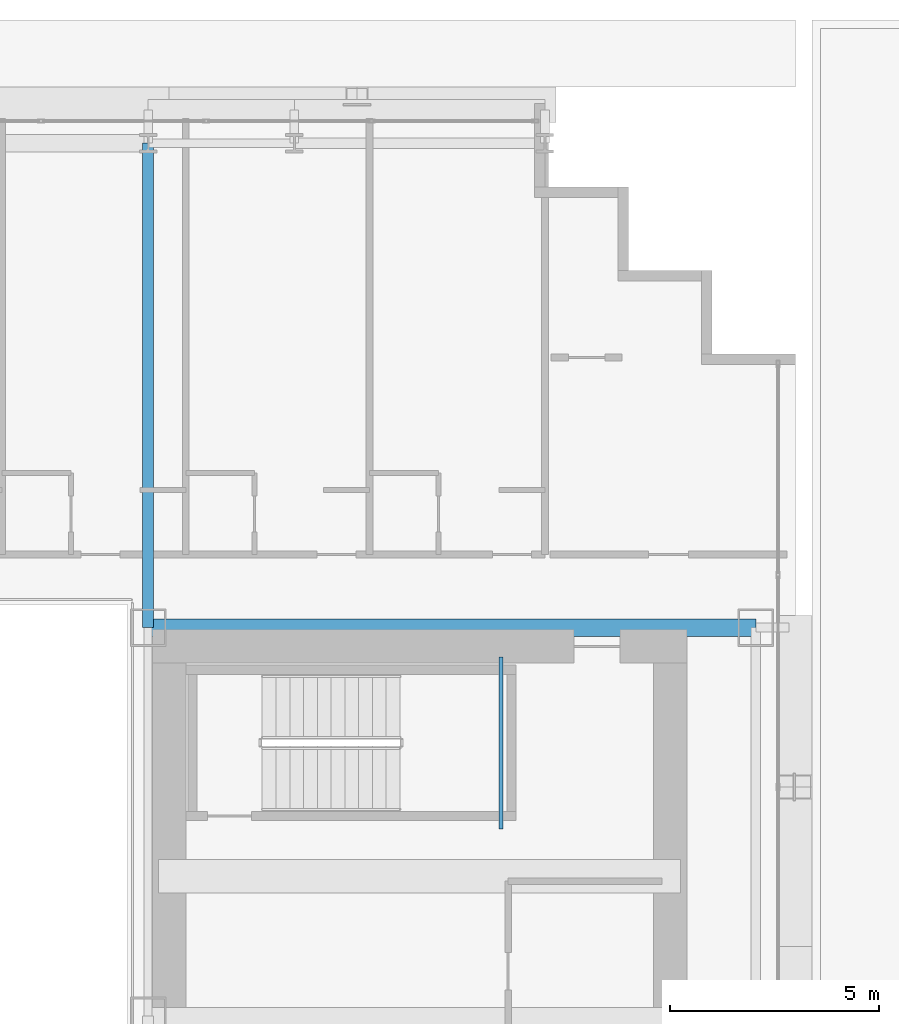
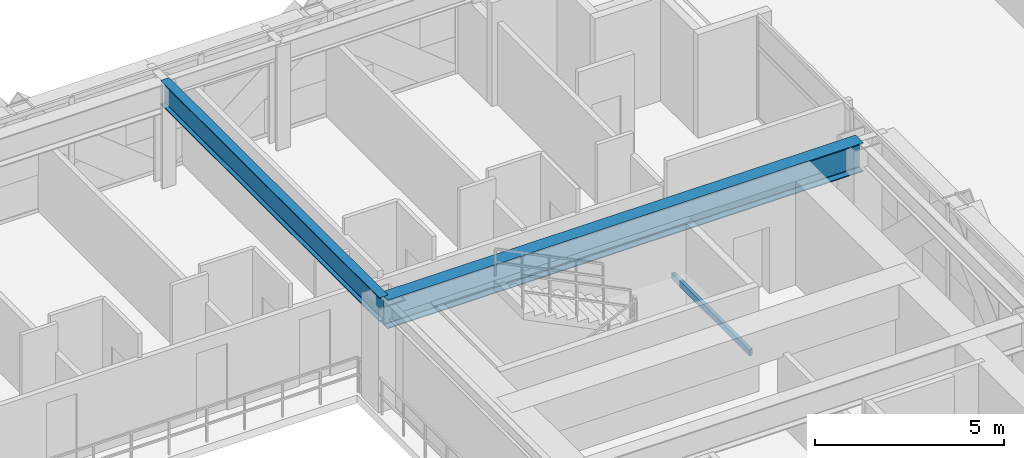
# One storey, part 18 of 35: 3 beams.
"""IFC4 building model written with IfcOpenShell, lengths in metres."""

import ifcopenshell
import ifcopenshell.guid

model = None  # the IFC model being written
_history = None  # IfcOwnerHistory: only IFC2X3 demands one
_inside = {}  # id of a spatial element -> (the spatial element, [elements in it])
_under = {}  # id of a project, library or spatial element -> (it, [spatial elements below it])
_declared = {}  # id of a project -> (the project, [libraries it declares])
_typed = {}  # id of a type object -> (the type object, [elements of that type])
_made_of = {}  # id of a material, layer set ... -> (it, [elements and type objects made of it])


def new_model(schema):
    """Start an empty IFC model of exactly this schema.

    Asked for "IFC4X3", IfcOpenShell would pick the latest addendum, in which some entities
    have other attributes; the version numbers below select the first issue.
    IFC2X3 requires an IfcOwnerHistory on every rooted entity: one is made here for all.
    """
    global model, _history
    if schema == "IFC4X3":
        model = ifcopenshell.file(schema_version=(4, 3, 0, 0))
    else:
        model = ifcopenshell.file(schema=schema)
    _inside.clear()
    _under.clear()
    _declared.clear()
    _typed.clear()
    _made_of.clear()
    _history = None
    if model.schema == "IFC2X3":
        org = make("IfcOrganization", Name="unknown")
        user = make(
            "IfcPersonAndOrganization",
            ThePerson=make("IfcPerson", FamilyName="unknown"),
            TheOrganization=org,
        )
        app = make(
            "IfcApplication",
            ApplicationDeveloper=org,
            Version="unknown",
            ApplicationFullName="unknown",
            ApplicationIdentifier="unknown",
        )
        _history = make(
            "IfcOwnerHistory",
            OwningUser=user,
            OwningApplication=app,
            ChangeAction="ADDED",
            CreationDate=0,
        )
    return model


def make(cls, **values):
    """One entity of the class cls with the attributes given. An attribute that is None is left unset."""
    return model.create_entity(
        cls, **{name: value for name, value in values.items() if value is not None}
    )


def rooted(cls, **values):
    """An entity with a GlobalId (a new one), such as an element, a storey or a relation."""
    return make(cls, GlobalId=ifcopenshell.guid.new(), OwnerHistory=_history, **values)


def si_unit(unit_type, name, prefix=None):
    """IfcSIUnit, for example si_unit("LENGTHUNIT", "METRE", prefix="MILLI")."""
    return make("IfcSIUnit", UnitType=unit_type, Prefix=prefix, Name=name)


def assignment(units):
    """IfcUnitAssignment: the units of a project."""
    return None if units is None else make("IfcUnitAssignment", Units=units)


def point(xyz):
    """IfcCartesianPoint."""
    return None if xyz is None else make("IfcCartesianPoint", Coordinates=xyz)


def direction(xyz):
    """IfcDirection."""
    return None if xyz is None else make("IfcDirection", DirectionRatios=xyz)


def frame(location, z_axis=None, x_axis=None):
    """IfcAxis2Placement3D, a coordinate frame: its origin and axes. An axis left out is left unset."""
    return make(
        "IfcAxis2Placement3D",
        Location=point(location),
        Axis=direction(z_axis),
        RefDirection=direction(x_axis),
    )


def frame_2d(location, x_axis=None):
    """IfcAxis2Placement2D, a coordinate frame in the plane: its origin and x axis."""
    return make(
        "IfcAxis2Placement2D", Location=point(location), RefDirection=direction(x_axis)
    )


def origin():
    """The frame at (0, 0, 0) with its axes left unset."""
    return frame((0.0, 0.0, 0.0))


def origin_2d():
    """The frame at (0, 0) in the plane with its x axis left unset."""
    return frame_2d((0.0, 0.0))


def place(relative_to, where):
    """IfcLocalPlacement: puts the frame where relative to a parent placement (None: the world)."""
    return make(
        "IfcLocalPlacement", PlacementRelTo=relative_to, RelativePlacement=where
    )


def context(
    kind, dimensions, precision=None, world=None, true_north=None, identifier=None
):
    """IfcGeometricRepresentationContext, for example the 3D "Model" context."""
    return make(
        "IfcGeometricRepresentationContext",
        ContextIdentifier=identifier,
        ContextType=kind,
        CoordinateSpaceDimension=dimensions,
        Precision=precision,
        WorldCoordinateSystem=world,
        TrueNorth=true_north,
    )


def subcontext(parent, identifier, kind, view, scale=None):
    """IfcGeometricRepresentationSubContext, for example "Body" below "Model"."""
    return make(
        "IfcGeometricRepresentationSubContext",
        ContextIdentifier=identifier,
        ContextType=kind,
        ParentContext=parent,
        TargetScale=scale,
        TargetView=view,
    )


def project(units=None, contexts=None):
    """IfcProject with its units and contexts."""
    return rooted(
        "IfcProject",
        Name="project",
        RepresentationContexts=contexts,
        UnitsInContext=assignment(units),
    )


def spatial(cls, under=None, at=None, **own):
    """A site, building, storey or space (cls), placed at a placement, below another one or the project."""
    s = rooted(cls, ObjectPlacement=at, **own)
    if under is not None:
        _under.setdefault(under.id(), (under, []))[1].append(s)
    return s


def profile(cls, at=None, kind="AREA", **sizes):
    """A parametric profile (cls). Its sizes go by their IFC names, for example OverallWidth=200.0."""
    return make(cls, ProfileType=kind, Position=at, **sizes)


def hollow_rectangle(**sizes):
    """IfcRectangleHollowProfileDef."""
    return profile("IfcRectangleHollowProfileDef", **sizes)


def i_section(**sizes):
    """IfcIShapeProfileDef."""
    return profile("IfcIShapeProfileDef", **sizes)


def extrude(swept, where, along, depth):
    """IfcExtrudedAreaSolid: the profile swept, set in the frame where, extruded along a direction by depth."""
    return make(
        "IfcExtrudedAreaSolid",
        SweptArea=swept,
        Position=where,
        ExtrudedDirection=direction(along),
        Depth=depth,
    )


def shape(context_of_items, identifier, shape_type, items):
    """IfcShapeRepresentation: the items that make up one representation, for example the "Body"."""
    return make(
        "IfcShapeRepresentation",
        ContextOfItems=context_of_items,
        RepresentationIdentifier=identifier,
        RepresentationType=shape_type,
        Items=items,
    )


def source(mapping_origin, context_of_items, identifier, shape_type, items):
    """IfcRepresentationMap: a shape defined once, which mapped items show again and again."""
    return make(
        "IfcRepresentationMap",
        MappingOrigin=mapping_origin,
        MappedRepresentation=shape(context_of_items, identifier, shape_type, items),
    )


def transform(
    local_origin,
    x_axis=None,
    y_axis=None,
    z_axis=None,
    scale=None,
    scale2=None,
    scale3=None,
    uniform=True,
):
    """IfcCartesianTransformationOperator3D, or its non-uniform kind. x_axis, y_axis, z_axis: its Axis1, 2, 3."""
    if uniform:
        return make(
            "IfcCartesianTransformationOperator3D",
            Axis1=direction(x_axis),
            Axis2=direction(y_axis),
            LocalOrigin=point(local_origin),
            Scale=scale,
            Axis3=direction(z_axis),
        )
    return make(
        "IfcCartesianTransformationOperator3DnonUniform",
        Axis1=direction(x_axis),
        Axis2=direction(y_axis),
        LocalOrigin=point(local_origin),
        Scale=scale,
        Axis3=direction(z_axis),
        Scale2=scale2,
        Scale3=scale3,
    )


def mapped(mapping_source, mapping_target):
    """IfcMappedItem: shows the shape of a source again, moved by a transform."""
    return make(
        "IfcMappedItem", MappingSource=mapping_source, MappingTarget=mapping_target
    )


def material(Name=None, Category=None):
    """IfcMaterial."""
    return make("IfcMaterial", Name=Name, Category=Category)


def material_profile(
    of_material, cross_section, Name=None, Category=None, Priority=None
):
    """IfcMaterialProfile: a cross section and its material."""
    return make(
        "IfcMaterialProfile",
        Name=Name,
        Material=of_material,
        Profile=cross_section,
        Priority=Priority,
        Category=Category,
    )


def profile_set(profiles, Name=None, composite=None):
    """IfcMaterialProfileSet."""
    return make(
        "IfcMaterialProfileSet",
        Name=Name,
        MaterialProfiles=profiles,
        CompositeProfile=composite,
    )


def made_of(thing, what):
    """Note that an element or type object is made of a material, layer set ...; save() writes the relation."""
    if what is not None:
        _made_of.setdefault(what.id(), (what, []))[1].append(thing)
    return thing


def type_object(cls, material=None, **own):
    """A type object (cls), such as IfcWallType, which elements share."""
    return made_of(rooted(cls, **own), material)


def element(
    cls,
    number,
    at=None,
    inside=None,
    cuts=None,
    type_object=None,
    material=None,
    context=None,
    identifier="Body",
    shape_type=None,
    held_by="IfcProductDefinitionShape",
    body=None,
    shapes=None,
    **own,
):
    """One element of the class cls, such as IfcWall. Its Tag is "e" and its number.

    at: its placement. inside: the storey or other place that contains it. cuts: it is an
    opening in that element (IfcRelVoidsElement). A single representation is given by context,
    identifier, shape_type and body (its items); several are given by shapes. held_by: the class
    of the entity that holds the representations. save() writes the other relations.
    """
    e = rooted(cls, Tag="e%d" % number, ObjectPlacement=at, **own)
    if body is not None:
        shapes = [shape(context, identifier, shape_type, body)]
    if shapes is not None:
        e.Representation = make(held_by, Representations=shapes)
    if inside is not None:
        _inside.setdefault(inside.id(), (inside, []))[1].append(e)
    if cuts is not None:
        rooted(
            "IfcRelVoidsElement", RelatingBuildingElement=cuts, RelatedOpeningElement=e
        )
    if type_object is not None:
        _typed.setdefault(type_object.id(), (type_object, []))[1].append(e)
    return made_of(e, material)


def aggregate(whole, parts):
    """IfcRelAggregates: a whole, such as a stair, and the parts it consists of."""
    return rooted("IfcRelAggregates", RelatingObject=whole, RelatedObjects=parts)


def save(model, path):
    """Write the relations noted so far, then the file.

    IfcRelAggregates (storeys below a building ...), IfcRelContainedInSpatialStructure (elements
    in a storey), IfcRelDefinesByType, IfcRelAssociatesMaterial and IfcRelDeclares: one each for
    every whole, place, type object, material and project.
    """
    for whole, parts in _under.values():
        aggregate(whole, parts)
    for where, things in _inside.values():
        rooted(
            "IfcRelContainedInSpatialStructure",
            RelatedElements=things,
            RelatingStructure=where,
        )
    for kind, things in _typed.values():
        rooted("IfcRelDefinesByType", RelatedObjects=things, RelatingType=kind)
    for what, things in _made_of.values():
        rooted("IfcRelAssociatesMaterial", RelatedObjects=things, RelatingMaterial=what)
    for by, libraries in _declared.values():
        rooted("IfcRelDeclares", RelatingContext=by, RelatedDefinitions=libraries)
    model.write(path)


model = new_model("IFC4")

# Units and contexts
model_context = context("Model", 3, precision=1e-05, world=origin(), true_north=direction((0.0, 1.0)))
body_context = subcontext(model_context, "Body", "Model", "MODEL_VIEW")
ifc_project = project(units=[si_unit("LENGTHUNIT", "METRE"), si_unit("AREAUNIT", "SQUARE_METRE"), si_unit("VOLUMEUNIT", "CUBIC_METRE"), si_unit("PLANEANGLEUNIT", "RADIAN"), si_unit("MASSUNIT", "GRAM", prefix="KILO")], contexts=[model_context])

# Site, building, storey
site_placement = place(None, origin())
site = spatial("IfcSite", under=ifc_project, at=site_placement, CompositionType="ELEMENT")
building_placement = place(site_placement, origin())
building = spatial("IfcBuilding", under=site, at=building_placement, Name="Ocotamira Hotel", CompositionType="ELEMENT")
storey_placement = place(building_placement, frame((0.0, 0.0, 34.800048828125)))
storey = spatial("IfcBuildingStorey", under=building, at=storey_placement, Name="L07", CompositionType="ELEMENT", Elevation=34.800048828125)

# Beams
ifc_material_1 = material(Name="Steel ASTM A500 Grade C", Category="steel")
ifc_material_profile_1 = material_profile(ifc_material_1, hollow_rectangle(XDim=0.10009765625, YDim=0.199951171875, WallThickness=0.008056640625, at=origin_2d()), Name="HSS200X100X8")
ifc_profile_set_1 = profile_set([ifc_material_profile_1], Name="Steel ASTM A500 Grade C")
beam_type_1 = type_object("IfcBeamType", Name="BM-STLDG-HSS200", PredefinedType="BEAM", material=ifc_profile_set_1)
shared_shape_1 = source(origin(), body_context, "Body", "SweptSolid", [
    extrude(hollow_rectangle(XDim=0.10009765625, YDim=0.199951171875, WallThickness=0.008056640625, at=origin_2d()), origin(), (0.0, 0.0, 1.0), 4.1201171875),
])
beam_1_placement = place(storey_placement, frame((48.949951171875, 32.6298828125, 1.5), z_axis=(0.0, 1.0, 0.0), x_axis=(-1.0, 0.0, 0.0)))
element("IfcBeam", 1, at=beam_1_placement, inside=storey, type_object=beam_type_1, Name="L07 Stair ST-4 Landing Bearer 1", PredefinedType="BEAM", context=body_context, shape_type="MappedRepresentation", body=[
    mapped(shared_shape_1, transform((0.0, 0.0, 0.0), scale=1.0)),
])
ifc_material_2 = material(Name="Steel ASTM A992 Grade 50", Category="steel")
ifc_material_profile_2 = material_profile(ifc_material_2, i_section(OverallWidth=0.41796875, OverallDepth=0.927001953125, WebThickness=0.019287109375, FlangeThickness=0.031982421875, FilletRadius=0.02392578125, at=origin_2d()), Name="W36X231")
ifc_profile_set_2 = profile_set([ifc_material_profile_2], Name="Steel ASTM A992 Grade 50")
beam_type_2 = type_object("IfcBeamType", Name="BM-GIRD-W36X231", PredefinedType="BEAM", material=ifc_profile_set_2)
shared_shape_2 = source(origin(), body_context, "Body", "SweptSolid", [
    extrude(i_section(OverallWidth=0.41796875, OverallDepth=0.927001953125, WebThickness=0.019287109375, FlangeThickness=0.031982421875, FilletRadius=0.02392578125, at=origin_2d()), origin(), (0.0, 0.0, 1.0), 14.550048828125),
])
beam_2_placement = place(storey_placement, frame((40.5, 37.449951171875, 2.886474609375), z_axis=(1.0, 0.0, 0.0), x_axis=(0.0, 1.0, 0.0)))
element("IfcBeam", 2, at=beam_2_placement, inside=storey, type_object=beam_type_2, Name="L07 Girder Y37.45 X40.5-55.05", PredefinedType="BEAM", context=body_context, shape_type="MappedRepresentation", body=[
    mapped(shared_shape_2, transform((0.0, 0.0, 0.0), scale=1.0)),
])
ifc_material_profile_3 = material_profile(ifc_material_2, i_section(OverallWidth=0.26611328125, OverallDepth=0.779052734375, WebThickness=0.0166015625, FlangeThickness=0.030029296875, FilletRadius=0.01806640625, at=origin_2d()), Name="W30X148")
ifc_profile_set_3 = profile_set([ifc_material_profile_3], Name="Steel ASTM A992 Grade 50")
beam_type_3 = type_object("IfcBeamType", Name="BM-GIRD-W30X148", PredefinedType="BEAM", material=ifc_profile_set_3)
shared_shape_3 = source(origin(), body_context, "Body", "SweptSolid", [
    extrude(i_section(OverallWidth=0.26611328125, OverallDepth=0.779052734375, WebThickness=0.0166015625, FlangeThickness=0.030029296875, FilletRadius=0.01806640625, at=origin_2d()), origin(), (0.0, 0.0, 1.0), 11.60009765625),
])
beam_3_placement = place(storey_placement, frame((40.5, 37.449951171875, 2.96044921875), z_axis=(0.0, 1.0, 0.0), x_axis=(-1.0, 0.0, 0.0)))
element("IfcBeam", 3, at=beam_3_placement, inside=storey, type_object=beam_type_3, Name="L07 Beam X40.5 Y37.45-49.05", PredefinedType="BEAM", context=body_context, shape_type="MappedRepresentation", body=[
    mapped(shared_shape_3, transform((0.0, 0.0, 0.0), scale=1.0)),
])

save(model, "model.ifc")
